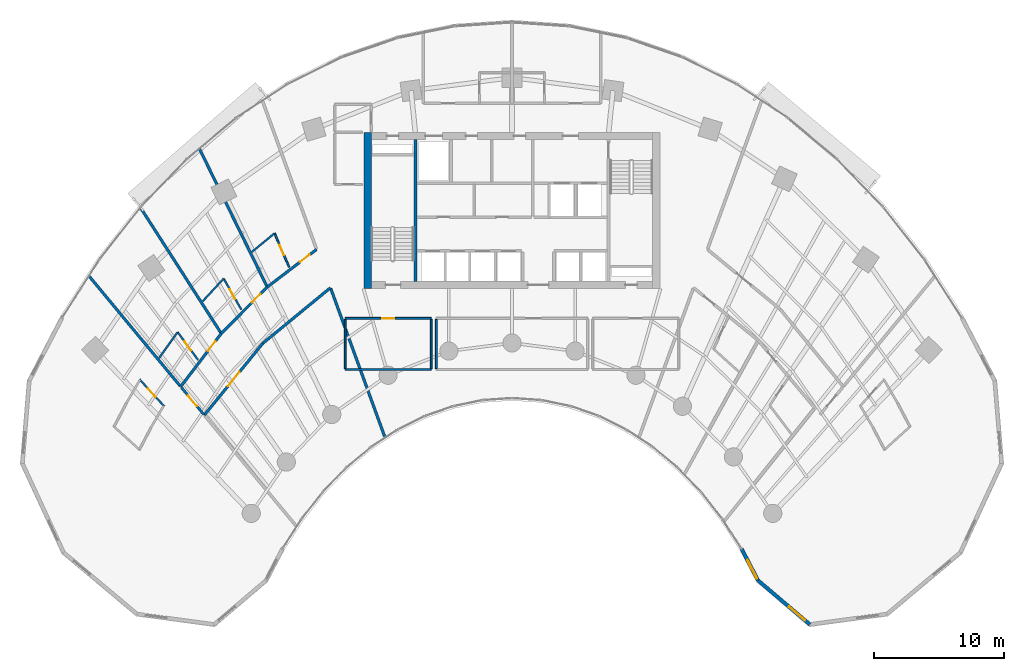
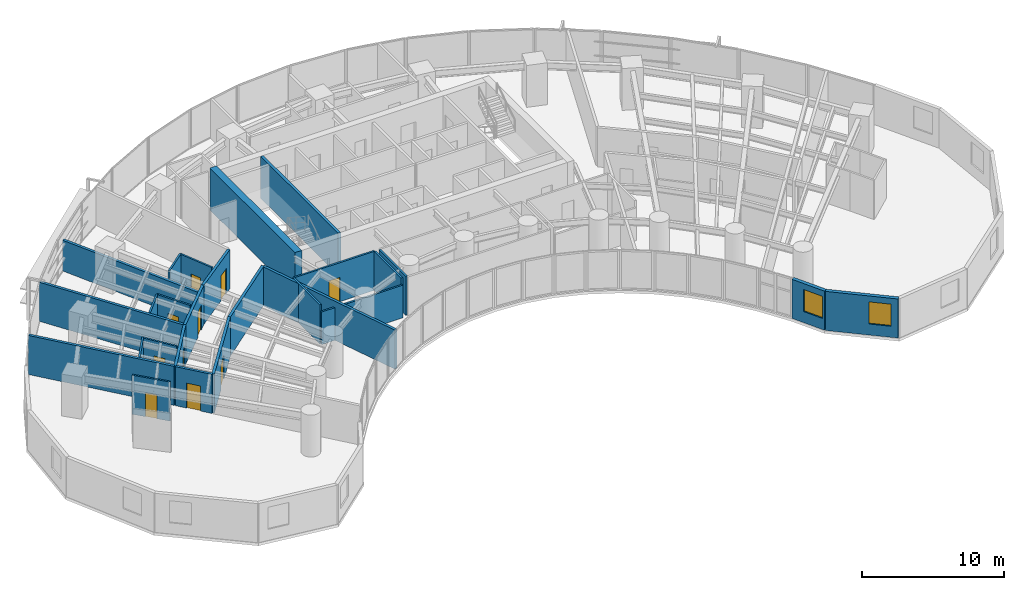
# One storey, part 11 of 17: 26 walls, 10 doors, 2 windows, 12 openings.
"""IFC4 building model written with IfcOpenShell, lengths in metres."""

from ifc_helpers import new_model, si_unit, direction, frame, frame_2d, origin, place, context, subcontext, project, spatial, rectangle, extrude, source, transform, mapped, material, layer, layer_set, type_object, type_shapes, element, fill, save


model = new_model("IFC4")

# Units and contexts
model_context = context("Model", 3, precision=1e-05, world=origin(), true_north=direction((0.0, 1.0)))
body_context = subcontext(model_context, "Body", "Model", "MODEL_VIEW")
ifc_project = project(units=[si_unit("LENGTHUNIT", "METRE"), si_unit("AREAUNIT", "SQUARE_METRE"), si_unit("VOLUMEUNIT", "CUBIC_METRE"), si_unit("PLANEANGLEUNIT", "RADIAN"), si_unit("MASSUNIT", "GRAM", prefix="KILO")], contexts=[model_context])

# Site, building, storey
site_placement = place(None, origin())
site = spatial("IfcSite", under=ifc_project, at=site_placement, CompositionType="ELEMENT")
building_placement = place(site_placement, origin())
building = spatial("IfcBuilding", under=site, at=building_placement, Name="Breltana Convention Tower", CompositionType="ELEMENT")
storey_placement = place(building_placement, frame((0.0, 0.0, 75.0)))
storey = spatial("IfcBuildingStorey", under=building, at=storey_placement, Name="L17", CompositionType="ELEMENT", Elevation=75.0)

# Walls
ifc_material_1 = material(Name="Concrete C60/75", Category="concrete")
ifc_layer_1 = layer(ifc_material_1, 0.550048828125, Name="Concrete C60/75")
ifc_layer_set_1 = layer_set([ifc_layer_1], Name="Concrete C60/75")
wall_type_1 = type_object("IfcWallType", Name="SW-CORE-550", PredefinedType="SHEAR", material=ifc_layer_set_1)
shared_shape_1 = source(origin(), body_context, "Body", "SweptSolid", [
    extrude(rectangle(XDim=12.0, YDim=0.550048828125, at=frame_2d((6.0, 0.0))), origin(), (0.0, 0.0, 1.0), 3.60009765625),
])
wall_1_placement = place(storey_placement, frame((36.925048828125, 60.199951171875, 0.0), z_axis=(0.0, 0.0, 1.0), x_axis=(0.0, 1.0, 0.0)))
element("IfcWall", 1, at=wall_1_placement, inside=storey, type_object=wall_type_1, Name="L17 West Core Shear Wall", PredefinedType="SHEAR", context=body_context, shape_type="MappedRepresentation", body=[
    mapped(shared_shape_1, transform((0.0, 0.0, 0.0), scale=1.0)),
])
ifc_material_2 = material(Name="Concrete C50/60", Category="concrete")
ifc_layer_2 = layer(ifc_material_2, 0.39990234375, Name="Concrete C50/60")
ifc_layer_set_2 = layer_set([ifc_layer_2], Name="Concrete C50/60")
wall_type_2 = type_object("IfcWallType", Name="SW-CORE-400", PredefinedType="SHEAR", material=ifc_layer_set_2)
shared_shape_2 = source(origin(), body_context, "Body", "SweptSolid", [
    extrude(rectangle(XDim=10.89990234375, YDim=0.219970703125, at=frame_2d((5.449951171875, 0.0))), origin(), (0.0, 0.0, 1.0), 3.60009765625),
])
wall_2_placement = place(storey_placement, frame((40.580078125, 60.75, 0.0), z_axis=(0.0, 0.0, 1.0), x_axis=(0.0, 1.0, 0.0)))
element("IfcWall", 2, at=wall_2_placement, inside=storey, type_object=wall_type_2, Name="L17 Core West Stair Spine Wall", PredefinedType="SHEAR", context=body_context, shape_type="MappedRepresentation", body=[
    mapped(shared_shape_2, transform((0.0, 0.0, 0.0), scale=1.0)),
])

# Wall, opening, window
ifc_material_3 = material(Name="Limestone Buff Insulated Wall", Category="masonry")
ifc_layer_3 = layer(ifc_material_3, 0.280029296875, Name="Limestone Buff Insulated Wall")
ifc_layer_set_3 = layer_set([ifc_layer_3], Name="Limestone Buff Insulated Wall")
wall_type_3 = type_object("IfcWallType", Name="WL-EXT-NOSE-280", PredefinedType="SOLIDWALL", material=ifc_layer_set_3)
shared_shape_3 = source(origin(), body_context, "Body", "SweptSolid", [
    extrude(rectangle(XDim=5.222412109375, YDim=0.280029296875, at=frame_2d((2.611328125, 0.0))), origin(), (0.0, 0.0, 1.0), 3.360107421875),
])
wall_3_placement = place(storey_placement, frame((70.8642578125, 34.4248046875, 0.0), z_axis=(0.0, 0.0, 1.0), x_axis=(-0.761900099546, 0.647694556339, 0.0)))
wall_3 = element("IfcWall", 3, at=wall_3_placement, inside=storey, type_object=wall_type_3, Name="L17 curved limestone nose wall E5", PredefinedType="SOLIDWALL", context=body_context, shape_type="MappedRepresentation", body=[
    mapped(shared_shape_3, transform((0.0, 0.0, 0.0), scale=1.0)),
])
opening_1_placement = place(wall_3_placement, frame((0.505615234375, 0.0, 0.949951171875)))
opening_1 = element("IfcOpeningElement", 4, at=opening_1_placement, cuts=wall_3, Name="Opening W-04", PredefinedType="OPENING", context=body_context, shape_type="SweptSolid", body=[
    extrude(rectangle(XDim=1.60009765625, YDim=1.89990234375, at=frame_2d((0.800048828125, 0.949951171875))), frame((0.0, 0.14990234375, 0.0), z_axis=(0.0, -1.0, 0.0), x_axis=(1.0, 0.0, 0.0)), (0.0, 0.0, 1.0), 0.300048828125),
])
ifc_material_4 = material(Name="Glass Low-E Insulated Window", Category="glass")
window_type = type_object("IfcWindowType", Name="WN-NOSE-1600X1900", PartitioningType="SINGLE_PANEL", PredefinedType="WINDOW", material=ifc_material_4)
shared_shape_4 = source(origin(), body_context, "Body", "SweptSolid", [
    extrude(rectangle(XDim=1.60009765625, YDim=1.89990234375, at=frame_2d((0.800048828125, 0.949951171875))), frame((0.0, 0.030029296875, 0.0), z_axis=(0.0, -1.0, 0.0), x_axis=(1.0, 0.0, 0.0)), (0.0, 0.0, 1.0), 0.06005859375),
])
type_shapes(window_type, [shared_shape_4])
window_1_placement = place(opening_1_placement, origin())
window_1 = element("IfcWindow", 5, at=window_1_placement, inside=storey, type_object=window_type, Name="L17 nose window E5", OverallHeight=1.89990234375, OverallWidth=1.60009765625, PartitioningType="SINGLE_PANEL", PredefinedType="WINDOW", context=body_context, shape_type="MappedRepresentation", body=[
    mapped(shared_shape_4, transform((0.0, 0.0, 0.0), scale=1.0)),
])
fill(opening_1, window_1)

shared_shape_5 = source(origin(), body_context, "Body", "SweptSolid", [
    extrude(rectangle(XDim=2.7353515625, YDim=0.280029296875, at=frame_2d((1.36767578125, 0.0))), origin(), (0.0, 0.0, 1.0), 3.360107421875),
])
wall_4_placement = place(storey_placement, frame((66.88525390625, 37.807373046875, 0.0), z_axis=(0.0, 0.0, 1.0), x_axis=(-0.46179107292, 0.886988728774, 0.0)))
wall_4 = element("IfcWall", 6, at=wall_4_placement, inside=storey, type_object=wall_type_3, Name="L17 curved limestone nose wall E6", PredefinedType="SOLIDWALL", context=body_context, shape_type="MappedRepresentation", body=[
    mapped(shared_shape_5, transform((0.0, 0.0, 0.0), scale=1.0)),
])
opening_2_placement = place(wall_4_placement, frame((0.159912109375, 0.0, 0.949951171875)))
opening_2 = element("IfcOpeningElement", 7, at=opening_2_placement, cuts=wall_4, Name="Opening W-04", PredefinedType="OPENING", context=body_context, shape_type="SweptSolid", body=[
    extrude(rectangle(XDim=1.60009765625, YDim=1.89990234375, at=frame_2d((0.800048828125, 0.949951171875))), frame((0.0, 0.14990234375, 0.0), z_axis=(0.0, -1.0, 0.0), x_axis=(1.0, 0.0, 0.0)), (0.0, 0.0, 1.0), 0.300048828125),
])
window_2_placement = place(opening_2_placement, origin())
window_2 = element("IfcWindow", 8, at=window_2_placement, inside=storey, type_object=window_type, Name="L17 nose window E6", OverallHeight=1.89990234375, OverallWidth=1.60009765625, PartitioningType="SINGLE_PANEL", PredefinedType="WINDOW", context=body_context, shape_type="MappedRepresentation", body=[
    mapped(shared_shape_4, transform((0.0, 0.0, 0.0), scale=1.0)),
])
fill(opening_2, window_2)

# Wall
ifc_material_5 = material(Name="Gypsum Acoustic Drywall Partition")
ifc_layer_4 = layer(ifc_material_5, 0.14990234375, Name="Gypsum Acoustic Drywall Partition")
ifc_layer_set_4 = layer_set([ifc_layer_4], Name="Gypsum Acoustic Drywall Partition")
wall_type_4 = type_object("IfcWallType", Name="WL-PART-150", PredefinedType="PARTITIONING", material=ifc_layer_set_4)
shared_shape_6 = source(origin(), body_context, "Body", "SweptSolid", [
    extrude(rectangle(XDim=6.60009765625, YDim=0.14990234375, at=frame_2d((3.300048828125, 0.0))), origin(), (0.0, 0.0, 1.0), 2.802978515625),
])
wall_5_placement = place(storey_placement, frame((35.199951171875, 54.0, 0.0), z_axis=(0.0, 0.0, 1.0), x_axis=(1.0, 0.0, 0.0)))
element("IfcWall", 9, at=wall_5_placement, inside=storey, type_object=wall_type_4, Name="L17 interior partition W-L17-HSK-S", PredefinedType="PARTITIONING", context=body_context, shape_type="MappedRepresentation", body=[
    mapped(shared_shape_6, transform((0.0, 0.0, 0.0), scale=1.0)),
])

# Wall, opening, door
shared_shape_7 = source(origin(), body_context, "Body", "SweptSolid", [
    extrude(rectangle(XDim=6.60009765625, YDim=0.14990234375, at=frame_2d((3.300048828125, 0.0))), origin(), (0.0, 0.0, 1.0), 3.360107421875),
])
wall_6_placement = place(storey_placement, frame((35.199951171875, 57.919921875, 0.0), z_axis=(0.0, 0.0, 1.0), x_axis=(1.0, 0.0, 0.0)))
wall_6 = element("IfcWall", 10, at=wall_6_placement, inside=storey, type_object=wall_type_4, Name="L17 interior partition W-L17-HSK-N", PredefinedType="PARTITIONING", context=body_context, shape_type="MappedRepresentation", body=[
    mapped(shared_shape_7, transform((0.0, 0.0, 0.0), scale=1.0)),
])
opening_3_placement = place(wall_6_placement, frame((2.85009765625, 0.0, 0.0)))
opening_3 = element("IfcOpeningElement", 11, at=opening_3_placement, cuts=wall_6, Name="Opening D-18", PredefinedType="OPENING", context=body_context, shape_type="SweptSolid", body=[
    extrude(rectangle(XDim=0.89990234375, YDim=2.10009765625, at=frame_2d((0.449951171875, 1.050048828125))), frame((0.0, 0.0849609375, 0.0), z_axis=(0.0, -1.0, 0.0), x_axis=(1.0, 0.0, 0.0)), (0.0, 0.0, 1.0), 0.169921875),
])
ifc_material_6 = material(Name="Steel Riser Fire Door", Category="steel")
door_type_1 = type_object("IfcDoorType", Name="DR-FD60-900", OperationType="NOTDEFINED", PredefinedType="DOOR", material=ifc_material_6)
shared_shape_8 = source(origin(), body_context, "Body", "SweptSolid", [
    extrude(rectangle(XDim=0.89990234375, YDim=2.10009765625, at=frame_2d((0.449951171875, 1.050048828125))), frame((0.0, 0.02490234375, 0.0), z_axis=(0.0, -1.0, 0.0), x_axis=(1.0, 0.0, 0.0)), (0.0, 0.0, 1.0), 0.050048828125),
])
type_shapes(door_type_1, [shared_shape_8])
door_1_placement = place(opening_3_placement, origin())
door_1 = element("IfcDoor", 12, at=door_1_placement, inside=storey, type_object=door_type_1, Name="L17 interior door D-L17-HSK", OperationType="SINGLE_SWING_LEFT", OverallHeight=2.10009765625, OverallWidth=0.89990234375, PredefinedType="DOOR", context=body_context, shape_type="MappedRepresentation", body=[
    mapped(shared_shape_8, transform((0.0, 0.0, 0.0), scale=1.0)),
])
fill(opening_3, door_1)

# Walls
shared_shape_9 = source(origin(), body_context, "Body", "SweptSolid", [
    extrude(rectangle(XDim=3.78515625, YDim=0.14990234375, at=frame_2d((1.892578125, 0.0))), origin(), (0.0, 0.0, 1.0), 3.360107421875),
])
for number, where, z_axis, x_axis, name in (
    (13, (35.199951171875, 54.0673828125, 0.0), (0.0, 0.0, 1.0), (0.0, 1.0, 0.0), "L17 interior partition W-L17-HSK-W"),
    (14, (41.800048828125, 54.0673828125, 0.0), (0.0, 0.0, 1.0), (0.0, 1.0, 0.0), "L17 interior partition W-L17-HSK-E"),
    (15, (42.199951171875, 54.0673828125, 0.0), (0.0, 0.0, 1.0), (0.0, 1.0, 0.0), "L17 interior partition W-L17-HLG-W"),
):
    element("IfcWall", number, at=place(storey_placement, frame(where, z_axis=z_axis, x_axis=x_axis)), inside=storey, type_object=wall_type_4, Name=name, PredefinedType="PARTITIONING", context=body_context, shape_type="MappedRepresentation", body=[
        mapped(shared_shape_9, transform((0.0, 0.0, 0.0), scale=1.0)),
    ])

# Wall, opening, door
ifc_material_7 = material(Name="Gypsum Acoustic Hotel Wall")
ifc_layer_5 = layer(ifc_material_7, 0.195068359375, Name="Gypsum Acoustic Hotel Wall")
ifc_layer_set_5 = layer_set([ifc_layer_5], Name="Gypsum Acoustic Hotel Wall")
wall_type_5 = type_object("IfcWallType", Name="WL-HOTEL-200", PredefinedType="PARTITIONING", material=ifc_layer_set_5)
shared_shape_10 = source(origin(), body_context, "Body", "SweptSolid", [
    extrude(rectangle(XDim=2.748291015625, YDim=0.195068359375, at=frame_2d((1.3740234375, 0.0))), origin(), (0.0, 0.0, 1.0), 3.360107421875),
])
wall_7_placement = place(storey_placement, frame((24.35302734375, 50.531005859375, 0.0), z_axis=(0.0, 0.0, 1.0), x_axis=(-0.638111168284, 0.769944242729, 0.0)))
wall_7 = element("IfcWall", 16, at=wall_7_placement, inside=storey, type_object=wall_type_5, Name="L17 interior partition W-L17-CS-W-END", PredefinedType="PARTITIONING", context=body_context, shape_type="MappedRepresentation", body=[
    mapped(shared_shape_10, transform((0.0, 0.0, 0.0), scale=1.0)),
])
opening_4_placement = place(wall_7_placement, frame((0.84912109375, 0.0, 0.0)))
opening_4 = element("IfcOpeningElement", 17, at=opening_4_placement, cuts=wall_7, Name="Opening D-13", PredefinedType="OPENING", context=body_context, shape_type="SweptSolid", body=[
    extrude(rectangle(XDim=1.050048828125, YDim=2.14990234375, at=frame_2d((0.52490234375, 1.074951171875))), frame((0.0, 0.107421875, 0.0), z_axis=(0.0, -1.0, 0.0), x_axis=(1.0, 0.0, 0.0)), (0.0, 0.0, 1.0), 0.215087890625),
])
ifc_material_8 = material(Name="Timber Solid-Core Fire Door", Category="wood")
door_type_2 = type_object("IfcDoorType", Name="DR-FD60-1050", OperationType="NOTDEFINED", PredefinedType="DOOR", material=ifc_material_8)
shared_shape_11 = source(origin(), body_context, "Body", "SweptSolid", [
    extrude(rectangle(XDim=1.050048828125, YDim=2.14990234375, at=frame_2d((0.52490234375, 1.074951171875))), frame((0.0, 0.02490234375, 0.0), z_axis=(0.0, -1.0, 0.0), x_axis=(1.0, 0.0, 0.0)), (0.0, 0.0, 1.0), 0.050048828125),
])
type_shapes(door_type_2, [shared_shape_11])
door_2_placement = place(opening_4_placement, origin())
door_2 = element("IfcDoor", 18, at=door_2_placement, inside=storey, type_object=door_type_2, Name="L17 interior door D-L17-CS-W", OperationType="SINGLE_SWING_RIGHT", OverallHeight=2.14990234375, OverallWidth=1.050048828125, PredefinedType="DOOR", context=body_context, shape_type="MappedRepresentation", body=[
    mapped(shared_shape_11, transform((0.0, 0.0, 0.0), scale=1.0)),
])
fill(opening_4, door_2)

ifc_material_9 = material(Name="Moisture-Resistant En-Suite Partition")
ifc_layer_6 = layer(ifc_material_9, 0.139892578125, Name="Moisture-Resistant En-Suite Partition")
ifc_layer_set_6 = layer_set([ifc_layer_6], Name="Moisture-Resistant En-Suite Partition")
wall_type_6 = type_object("IfcWallType", Name="WL-WET-150", PredefinedType="PARTITIONING", material=ifc_layer_set_6)
shared_shape_12 = source(origin(), body_context, "Body", "SweptSolid", [
    extrude(rectangle(XDim=2.812255859375, YDim=0.139892578125, at=frame_2d((1.40625, 0.0))), origin(), (0.0, 0.0, 1.0), 3.360107421875),
])
wall_8_placement = place(storey_placement, frame((21.30322265625, 51.176513671875, 0.0), z_axis=(0.0, 0.0, 1.0), x_axis=(-0.675119025852, 0.737708818527, 0.0)))
wall_8 = element("IfcWall", 19, at=wall_8_placement, inside=storey, type_object=wall_type_6, Name="L17 interior partition W-L17-CSENS-W-W", PredefinedType="PARTITIONING", context=body_context, shape_type="MappedRepresentation", body=[
    mapped(shared_shape_12, transform((0.0, 0.0, 0.0), scale=1.0)),
])
opening_5_placement = place(wall_8_placement, frame((0.981201171875, 0.0, 0.0)))
opening_5 = element("IfcOpeningElement", 20, at=opening_5_placement, cuts=wall_8, Name="Opening D-21", PredefinedType="OPENING", context=body_context, shape_type="SweptSolid", body=[
    extrude(rectangle(XDim=0.85009765625, YDim=2.050048828125, at=frame_2d((0.425048828125, 1.02490234375))), frame((0.0, 0.080078125, 0.0), z_axis=(0.0, -1.0, 0.0), x_axis=(1.0, 0.0, 0.0)), (0.0, 0.0, 1.0), 0.159912109375),
])
ifc_material_10 = material(Name="Timber Moisture-Resistant En-Suite Door", Category="wood")
door_type_3 = type_object("IfcDoorType", Name="DR-WET-850", OperationType="NOTDEFINED", PredefinedType="DOOR", material=ifc_material_10)
shared_shape_13 = source(origin(), body_context, "Body", "SweptSolid", [
    extrude(rectangle(XDim=0.85009765625, YDim=2.050048828125, at=frame_2d((0.425048828125, 1.02490234375))), frame((0.0, 0.02490234375, 0.0), z_axis=(0.0, -1.0, 0.0), x_axis=(1.0, 0.0, 0.0)), (0.0, 0.0, 1.0), 0.050048828125),
])
type_shapes(door_type_3, [shared_shape_13])
door_3_placement = place(opening_5_placement, origin())
door_3 = element("IfcDoor", 21, at=door_3_placement, inside=storey, type_object=door_type_3, Name="L17 interior door D-L17-CSENS-W", OperationType="SINGLE_SWING_LEFT", OverallHeight=2.050048828125, OverallWidth=0.85009765625, PredefinedType="DOOR", context=body_context, shape_type="MappedRepresentation", body=[
    mapped(shared_shape_13, transform((0.0, 0.0, 0.0), scale=1.0)),
])
fill(opening_5, door_3)

# Wall
shared_shape_14 = source(origin(), body_context, "Body", "SweptSolid", [
    extrude(rectangle(XDim=2.260498046875, YDim=0.139892578125, at=frame_2d((1.13037109375, 0.0))), origin(), (0.0, 0.0, 1.0), 3.360107421875),
])
wall_9_placement = place(storey_placement, frame((28.029296875, 63.01953125, 0.0), z_axis=(0.0, 0.0, 1.0), x_axis=(0.772646789219, 0.634836151388, 0.0)))
element("IfcWall", 22, at=wall_9_placement, inside=storey, type_object=wall_type_6, Name="L17 interior partition W-L17-ST03E-BK", PredefinedType="PARTITIONING", context=body_context, shape_type="MappedRepresentation", body=[
    mapped(shared_shape_14, transform((0.0, 0.0, 0.0), scale=1.0)),
])

# Wall, opening, door
shared_shape_15 = source(origin(), body_context, "Body", "SweptSolid", [
    extrude(rectangle(XDim=2.81884765625, YDim=0.139892578125, at=frame_2d((1.409423828125, 0.0))), origin(), (0.0, 0.0, 1.0), 3.360107421875),
])
wall_10_placement = place(storey_placement, frame((30.8876953125, 61.8642578125, 0.0), z_axis=(0.0, 0.0, 1.0), x_axis=(-0.394420979357, 0.918929861874, 0.0)))
wall_10 = element("IfcWall", 23, at=wall_10_placement, inside=storey, type_object=wall_type_6, Name="L17 interior partition W-L17-ST03E-SD", PredefinedType="PARTITIONING", context=body_context, shape_type="MappedRepresentation", body=[
    mapped(shared_shape_15, transform((0.0, 0.0, 0.0), scale=1.0)),
])
opening_6_placement = place(wall_10_placement, frame((0.984375, 0.0, 0.0)))
opening_6 = element("IfcOpeningElement", 24, at=opening_6_placement, cuts=wall_10, Name="Opening D-21", PredefinedType="OPENING", context=body_context, shape_type="SweptSolid", body=[
    extrude(rectangle(XDim=0.85009765625, YDim=2.050048828125, at=frame_2d((0.425048828125, 1.02490234375))), frame((0.0, 0.080078125, 0.0), z_axis=(0.0, -1.0, 0.0), x_axis=(1.0, 0.0, 0.0)), (0.0, 0.0, 1.0), 0.159912109375),
])
door_4_placement = place(opening_6_placement, origin())
door_4 = element("IfcDoor", 25, at=door_4_placement, inside=storey, type_object=door_type_3, Name="L17 interior door D-L17-ST03E", OperationType="SINGLE_SWING_LEFT", OverallHeight=2.050048828125, OverallWidth=0.85009765625, PredefinedType="DOOR", context=body_context, shape_type="MappedRepresentation", body=[
    mapped(shared_shape_13, transform((0.0, 0.0, 0.0), scale=1.0)),
])
fill(opening_6, door_4)

# Wall
shared_shape_16 = source(origin(), body_context, "Body", "SweptSolid", [
    extrude(rectangle(XDim=2.38037109375, YDim=0.139892578125, at=frame_2d((1.190185546875, 0.0))), origin(), (0.0, 0.0, 1.0), 3.360107421875),
])
wall_11_placement = place(storey_placement, frame((24.2529296875, 59.231201171875, 0.0), z_axis=(0.0, 0.0, 1.0), x_axis=(0.679084816758, 0.734059814762, 0.0)))
element("IfcWall", 26, at=wall_11_placement, inside=storey, type_object=wall_type_6, Name="L17 interior partition W-L17-ST02E-BK", PredefinedType="PARTITIONING", context=body_context, shape_type="MappedRepresentation", body=[
    mapped(shared_shape_16, transform((0.0, 0.0, 0.0), scale=1.0)),
])

# Wall, opening, door
shared_shape_17 = source(origin(), body_context, "Body", "SweptSolid", [
    extrude(rectangle(XDim=2.734619140625, YDim=0.139892578125, at=frame_2d((1.3671875, 0.0))), origin(), (0.0, 0.0, 1.0), 3.360107421875),
])
wall_12_placement = place(storey_placement, frame((27.219482421875, 58.600341796875, 0.0), z_axis=(0.0, 0.0, 1.0), x_axis=(-0.493694940578, 0.869635156631, 0.0)))
wall_12 = element("IfcWall", 27, at=wall_12_placement, inside=storey, type_object=wall_type_6, Name="L17 interior partition W-L17-ST02E-SD", PredefinedType="PARTITIONING", context=body_context, shape_type="MappedRepresentation", body=[
    mapped(shared_shape_17, transform((0.0, 0.0, 0.0), scale=1.0)),
])
opening_7_placement = place(wall_12_placement, frame((0.9423828125, 0.0, 0.0)))
opening_7 = element("IfcOpeningElement", 28, at=opening_7_placement, cuts=wall_12, Name="Opening D-21", PredefinedType="OPENING", context=body_context, shape_type="SweptSolid", body=[
    extrude(rectangle(XDim=0.85009765625, YDim=2.050048828125, at=frame_2d((0.425048828125, 1.02490234375))), frame((0.0, 0.080078125, 0.0), z_axis=(0.0, -1.0, 0.0), x_axis=(1.0, 0.0, 0.0)), (0.0, 0.0, 1.0), 0.159912109375),
])
door_5_placement = place(opening_7_placement, origin())
door_5 = element("IfcDoor", 29, at=door_5_placement, inside=storey, type_object=door_type_3, Name="L17 interior door D-L17-ST02E", OperationType="SINGLE_SWING_LEFT", OverallHeight=2.050048828125, OverallWidth=0.85009765625, PredefinedType="DOOR", context=body_context, shape_type="MappedRepresentation", body=[
    mapped(shared_shape_13, transform((0.0, 0.0, 0.0), scale=1.0)),
])
fill(opening_7, door_5)

# Wall
shared_shape_18 = source(origin(), body_context, "Body", "SweptSolid", [
    extrude(rectangle(XDim=2.436767578125, YDim=0.139892578125, at=frame_2d((1.21826171875, 0.0))), origin(), (0.0, 0.0, 1.0), 3.360107421875),
])
wall_13_placement = place(storey_placement, frame((20.9150390625, 54.88623046875, 0.0), z_axis=(0.0, 0.0, 1.0), x_axis=(0.581797219134, 0.813333877204, 0.0)))
element("IfcWall", 30, at=wall_13_placement, inside=storey, type_object=wall_type_6, Name="L17 interior partition W-L17-ST01E-BK", PredefinedType="PARTITIONING", context=body_context, shape_type="MappedRepresentation", body=[
    mapped(shared_shape_18, transform((0.0, 0.0, 0.0), scale=1.0)),
])

# Wall, opening, door
shared_shape_19 = source(origin(), body_context, "Body", "SweptSolid", [
    extrude(rectangle(XDim=2.6416015625, YDim=0.139892578125, at=frame_2d((1.32080078125, 0.0))), origin(), (0.0, 0.0, 1.0), 3.360107421875),
])
wall_14_placement = place(storey_placement, frame((23.898681640625, 54.74072265625, 0.0), z_axis=(0.0, 0.0, 1.0), x_axis=(-0.592789122423, 0.805357719487, 0.0)))
wall_14 = element("IfcWall", 31, at=wall_14_placement, inside=storey, type_object=wall_type_6, Name="L17 interior partition W-L17-ST01E-SD", PredefinedType="PARTITIONING", context=body_context, shape_type="MappedRepresentation", body=[
    mapped(shared_shape_19, transform((0.0, 0.0, 0.0), scale=1.0)),
])
opening_8_placement = place(wall_14_placement, frame((0.895751953125, 0.0, 0.0)))
opening_8 = element("IfcOpeningElement", 32, at=opening_8_placement, cuts=wall_14, Name="Opening D-21", PredefinedType="OPENING", context=body_context, shape_type="SweptSolid", body=[
    extrude(rectangle(XDim=0.85009765625, YDim=2.050048828125, at=frame_2d((0.425048828125, 1.02490234375))), frame((0.0, 0.080078125, 0.0), z_axis=(0.0, -1.0, 0.0), x_axis=(1.0, 0.0, 0.0)), (0.0, 0.0, 1.0), 0.159912109375),
])
door_6_placement = place(opening_8_placement, origin())
door_6 = element("IfcDoor", 33, at=door_6_placement, inside=storey, type_object=door_type_3, Name="L17 interior door D-L17-ST01E", OperationType="SINGLE_SWING_LEFT", OverallHeight=2.050048828125, OverallWidth=0.85009765625, PredefinedType="DOOR", context=body_context, shape_type="MappedRepresentation", body=[
    mapped(shared_shape_13, transform((0.0, 0.0, 0.0), scale=1.0)),
])
fill(opening_8, door_6)

# Wall
ifc_material_11 = material(Name="Autoclaved Aerated Masonry Blockwork", Category="masonry")
ifc_layer_7 = layer(ifc_material_11, 0.2099609375, Name="Autoclaved Aerated Masonry Blockwork")
ifc_layer_set_7 = layer_set([ifc_layer_7], Name="Autoclaved Aerated Masonry Blockwork")
wall_type_7 = type_object("IfcWallType", Name="WL-PART-200", PredefinedType="PARTITIONING", material=ifc_layer_set_7)
shared_shape_20 = source(origin(), body_context, "Body", "SweptSolid", [
    extrude(rectangle(XDim=11.774658203125, YDim=0.2099609375, at=frame_2d((5.88720703125, 0.0))), origin(), (0.0, 0.0, 1.0), 2.64404296875),
])
wall_15_placement = place(storey_placement, frame((29.1904296875, 60.37060546875, 0.0), z_axis=(0.0, 0.0, 1.0), x_axis=(-0.4401500056, 0.897924257702, 0.0)))
element("IfcWall", 34, at=wall_15_placement, inside=storey, type_object=wall_type_7, Name="L17 interior partition W-L17-ST02-RB", PredefinedType="PARTITIONING", context=body_context, shape_type="MappedRepresentation", body=[
    mapped(shared_shape_20, transform((0.0, 0.0, 0.0), scale=1.0)),
])

# Wall, opening, door
shared_shape_21 = source(origin(), body_context, "Body", "SweptSolid", [
    extrude(rectangle(XDim=7.112548828125, YDim=0.2099609375, at=frame_2d((3.55615234375, 0.0))), origin(), (0.0, 0.0, 1.0), 3.360107421875),
])
wall_16_placement = place(storey_placement, frame((24.3828125, 50.4951171875, 0.0), z_axis=(0.0, 0.0, 1.0), x_axis=(0.63149032532, 0.775383755974, 0.0)))
wall_16 = element("IfcWall", 35, at=wall_16_placement, inside=storey, type_object=wall_type_7, Name="L17 interior partition W-L17-H3IW-COR1", PredefinedType="PARTITIONING", context=body_context, shape_type="MappedRepresentation", body=[
    mapped(shared_shape_21, transform((0.0, 0.0, 0.0), scale=1.0)),
])
opening_9_placement = place(wall_16_placement, frame((2.856201171875, 0.0, 0.0)))
opening_9 = element("IfcOpeningElement", 36, at=opening_9_placement, cuts=wall_16, Name="Opening D-05", PredefinedType="OPENING", context=body_context, shape_type="SweptSolid", body=[
    extrude(rectangle(XDim=1.39990234375, YDim=2.14990234375, at=frame_2d((0.699951171875, 1.074951171875))), frame((0.0, 0.114990234375, 0.0), z_axis=(0.0, -1.0, 0.0), x_axis=(1.0, 0.0, 0.0)), (0.0, 0.0, 1.0), 0.22998046875),
])
ifc_material_12 = material(Name="Timber Veneer Glazed Double Door", Category="wood")
door_type_4 = type_object("IfcDoorType", Name="DR-DBL-1400", OperationType="DOUBLE_DOOR_SINGLE_SWING", PredefinedType="DOOR", material=ifc_material_12)
shared_shape_22 = source(origin(), body_context, "Body", "SweptSolid", [
    extrude(rectangle(XDim=1.39990234375, YDim=2.14990234375, at=frame_2d((0.699951171875, 1.074951171875))), frame((0.0, 0.02490234375, 0.0), z_axis=(0.0, -1.0, 0.0), x_axis=(1.0, 0.0, 0.0)), (0.0, 0.0, 1.0), 0.050048828125),
])
type_shapes(door_type_4, [shared_shape_22])
door_7_placement = place(opening_9_placement, origin())
door_7 = element("IfcDoor", 37, at=door_7_placement, inside=storey, type_object=door_type_4, Name="L17 interior door D-L17-H3IW", OperationType="SINGLE_SWING_RIGHT", OverallHeight=2.14990234375, OverallWidth=1.39990234375, PredefinedType="DOOR", context=body_context, shape_type="MappedRepresentation", body=[
    mapped(shared_shape_22, transform((0.0, 0.0, 0.0), scale=1.0)),
])
fill(opening_9, door_7)

# Walls
shared_shape_23 = source(origin(), body_context, "Body", "SweptSolid", [
    extrude(rectangle(XDim=6.72119140625, YDim=0.2099609375, at=frame_2d((3.360595703125, 0.0))), origin(), (0.0, 0.0, 1.0), 3.360107421875),
])
wall_17_placement = place(storey_placement, frame((28.874267578125, 56.010009765625, 0.0), z_axis=(0.0, 0.0, 1.0), x_axis=(0.772828051199, 0.63461547671, 0.0)))
element("IfcWall", 38, at=wall_17_placement, inside=storey, type_object=wall_type_7, Name="L17 interior partition W-L17-H3IW-COR2", PredefinedType="PARTITIONING", context=body_context, shape_type="MappedRepresentation", body=[
    mapped(shared_shape_23, transform((0.0, 0.0, 0.0), scale=1.0)),
])
shared_shape_24 = source(origin(), body_context, "Body", "SweptSolid", [
    extrude(rectangle(XDim=12.1962890625, YDim=0.2099609375, at=frame_2d((6.09814453125, 0.0))), origin(), (0.0, 0.0, 1.0), 3.360107421875),
])
wall_18_placement = place(storey_placement, frame((38.257568359375, 48.766357421875, 0.0), z_axis=(0.0, 0.0, 1.0), x_axis=(-0.342022711534, 0.939691686031, 0.0)))
element("IfcWall", 39, at=wall_18_placement, inside=storey, type_object=wall_type_7, Name="L17 interior partition W-L17-H3IW-RB", PredefinedType="PARTITIONING", context=body_context, shape_type="MappedRepresentation", body=[
    mapped(shared_shape_24, transform((0.0, 0.0, 0.0), scale=1.0)),
])
shared_shape_25 = source(origin(), body_context, "Body", "SweptSolid", [
    extrude(rectangle(XDim=10.974609375, YDim=0.2099609375, at=frame_2d((5.4873046875, 0.0))), origin(), (0.0, 0.0, 1.0), 3.360107421875),
])
wall_19_placement = place(storey_placement, frame((22.539794921875, 52.71875, 0.0), z_axis=(0.0, 0.0, 1.0), x_axis=(-0.638125265812, 0.769932558821, 0.0)))
element("IfcWall", 40, at=wall_19_placement, inside=storey, type_object=wall_type_7, Name="L17 interior partition W-L17-ST01-RA", PredefinedType="PARTITIONING", context=body_context, shape_type="MappedRepresentation", body=[
    mapped(shared_shape_25, transform((0.0, 0.0, 0.0), scale=1.0)),
])

# Wall, opening, door
shared_shape_26 = source(origin(), body_context, "Body", "SweptSolid", [
    extrude(rectangle(XDim=5.134765625, YDim=0.2099609375, at=frame_2d((2.5673828125, 0.0))), origin(), (0.0, 0.0, 1.0), 3.360107421875),
])
wall_20_placement = place(storey_placement, frame((22.569580078125, 52.682861328125, 0.0), z_axis=(0.0, 0.0, 1.0), x_axis=(0.606802199649, 0.794852873494, 0.0)))
wall_20 = element("IfcWall", 41, at=wall_20_placement, inside=storey, type_object=wall_type_7, Name="L17 interior partition W-L17-ST01-COR", PredefinedType="PARTITIONING", context=body_context, shape_type="MappedRepresentation", body=[
    mapped(shared_shape_26, transform((0.0, 0.0, 0.0), scale=1.0)),
])
opening_10_placement = place(wall_20_placement, frame((3.42724609375, 0.0, 0.0)))
opening_10 = element("IfcOpeningElement", 42, at=opening_10_placement, cuts=wall_20, Name="Opening D-14", PredefinedType="OPENING", context=body_context, shape_type="SweptSolid", body=[
    extrude(rectangle(XDim=0.949951171875, YDim=2.14990234375, at=frame_2d((0.47509765625, 1.074951171875))), frame((0.0, 0.114990234375, 0.0), z_axis=(0.0, -1.0, 0.0), x_axis=(1.0, 0.0, 0.0)), (0.0, 0.0, 1.0), 0.22998046875),
])
door_type_5 = type_object("IfcDoorType", Name="DR-FD60-950", OperationType="NOTDEFINED", PredefinedType="DOOR", material=ifc_material_8)
shared_shape_27 = source(origin(), body_context, "Body", "SweptSolid", [
    extrude(rectangle(XDim=0.949951171875, YDim=2.14990234375, at=frame_2d((0.47509765625, 1.074951171875))), frame((0.0, 0.02490234375, 0.0), z_axis=(0.0, -1.0, 0.0), x_axis=(1.0, 0.0, 0.0)), (0.0, 0.0, 1.0), 0.050048828125),
])
type_shapes(door_type_5, [shared_shape_27])
door_8_placement = place(opening_10_placement, origin())
door_8 = element("IfcDoor", 43, at=door_8_placement, inside=storey, type_object=door_type_5, Name="L17 interior door D-L17-ST01", OperationType="SINGLE_SWING_RIGHT", OverallHeight=2.14990234375, OverallWidth=0.949951171875, PredefinedType="DOOR", context=body_context, shape_type="MappedRepresentation", body=[
    mapped(shared_shape_27, transform((0.0, 0.0, 0.0), scale=1.0)),
])
fill(opening_10, door_8)

# Wall
shared_shape_28 = source(origin(), body_context, "Body", "SweptSolid", [
    extrude(rectangle(XDim=11.431640625, YDim=0.2099609375, at=frame_2d((5.7158203125, 0.0))), origin(), (0.0, 0.0, 1.0), 3.360107421875),
])
wall_21_placement = place(storey_placement, frame((25.6591796875, 56.8046875, 0.0), z_axis=(0.0, 0.0, 1.0), x_axis=(-0.540196183124, 0.841539115988, 0.0)))
element("IfcWall", 44, at=wall_21_placement, inside=storey, type_object=wall_type_7, Name="L17 interior partition W-L17-ST01-RB", PredefinedType="PARTITIONING", context=body_context, shape_type="MappedRepresentation", body=[
    mapped(shared_shape_28, transform((0.0, 0.0, 0.0), scale=1.0)),
])

# Wall, opening, door
shared_shape_29 = source(origin(), body_context, "Body", "SweptSolid", [
    extrude(rectangle(XDim=5.012451171875, YDim=0.2099609375, at=frame_2d((2.50634765625, 0.0))), origin(), (0.0, 0.0, 1.0), 3.360107421875),
])
wall_22_placement = place(storey_placement, frame((25.685302734375, 56.76416015625, 0.0), z_axis=(0.0, 0.0, 1.0), x_axis=(0.703664626435, 0.710532260707, 0.0)))
wall_22 = element("IfcWall", 45, at=wall_22_placement, inside=storey, type_object=wall_type_7, Name="L17 interior partition W-L17-ST02-COR", PredefinedType="PARTITIONING", context=body_context, shape_type="MappedRepresentation", body=[
    mapped(shared_shape_29, transform((0.0, 0.0, 0.0), scale=1.0)),
])
opening_11_placement = place(wall_22_placement, frame((3.334716796875, 0.0, 0.0)))
opening_11 = element("IfcOpeningElement", 46, at=opening_11_placement, cuts=wall_22, Name="Opening D-14", PredefinedType="OPENING", context=body_context, shape_type="SweptSolid", body=[
    extrude(rectangle(XDim=0.949951171875, YDim=2.14990234375, at=frame_2d((0.47509765625, 1.074951171875))), frame((0.0, 0.114990234375, 0.0), z_axis=(0.0, -1.0, 0.0), x_axis=(1.0, 0.0, 0.0)), (0.0, 0.0, 1.0), 0.22998046875),
])
door_9_placement = place(opening_11_placement, origin())
door_9 = element("IfcDoor", 47, at=door_9_placement, inside=storey, type_object=door_type_5, Name="L17 interior door D-L17-ST02", OperationType="SINGLE_SWING_RIGHT", OverallHeight=2.14990234375, OverallWidth=0.949951171875, PredefinedType="DOOR", context=body_context, shape_type="MappedRepresentation", body=[
    mapped(shared_shape_27, transform((0.0, 0.0, 0.0), scale=1.0)),
])
fill(opening_11, door_9)

shared_shape_30 = source(origin(), body_context, "Body", "SweptSolid", [
    extrude(rectangle(XDim=4.76220703125, YDim=0.2099609375, at=frame_2d((2.381103515625, 0.0))), origin(), (0.0, 0.0, 1.0), 3.360107421875),
])
wall_23_placement = place(storey_placement, frame((29.21240234375, 60.32568359375, 0.0), z_axis=(0.0, 0.0, 1.0), x_axis=(0.795070295872, 0.60651729128, 0.0)))
wall_23 = element("IfcWall", 48, at=wall_23_placement, inside=storey, type_object=wall_type_7, Name="L17 interior partition W-L17-ST03-COR", PredefinedType="PARTITIONING", context=body_context, shape_type="MappedRepresentation", body=[
    mapped(shared_shape_30, transform((0.0, 0.0, 0.0), scale=1.0)),
])
opening_12_placement = place(wall_23_placement, frame((3.144287109375, 0.0, 0.0)))
opening_12 = element("IfcOpeningElement", 49, at=opening_12_placement, cuts=wall_23, Name="Opening D-14", PredefinedType="OPENING", context=body_context, shape_type="SweptSolid", body=[
    extrude(rectangle(XDim=0.949951171875, YDim=2.14990234375, at=frame_2d((0.47509765625, 1.074951171875))), frame((0.0, 0.114990234375, 0.0), z_axis=(0.0, -1.0, 0.0), x_axis=(1.0, 0.0, 0.0)), (0.0, 0.0, 1.0), 0.22998046875),
])
door_10_placement = place(opening_12_placement, origin())
door_10 = element("IfcDoor", 50, at=door_10_placement, inside=storey, type_object=door_type_5, Name="L17 interior door D-L17-ST03", OperationType="SINGLE_SWING_RIGHT", OverallHeight=2.14990234375, OverallWidth=0.949951171875, PredefinedType="DOOR", context=body_context, shape_type="MappedRepresentation", body=[
    mapped(shared_shape_27, transform((0.0, 0.0, 0.0), scale=1.0)),
])
fill(opening_12, door_10)

save(model, "model.ifc")
